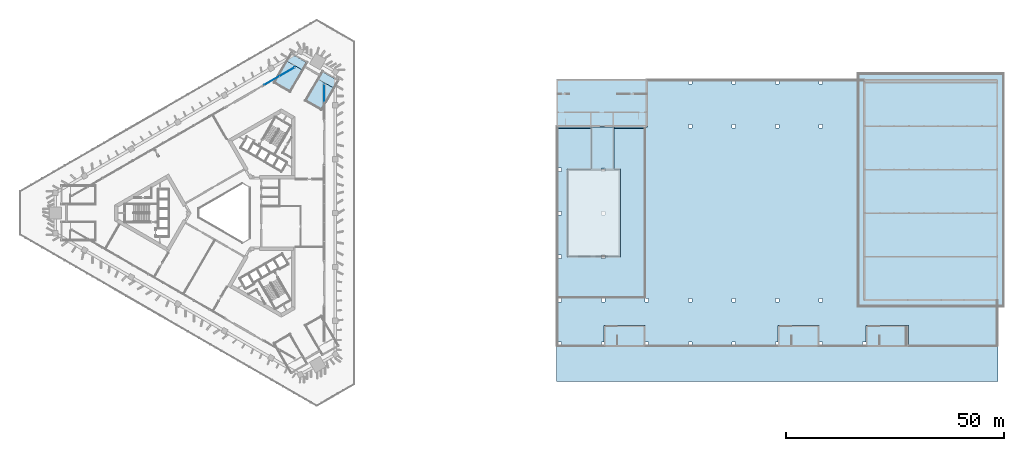
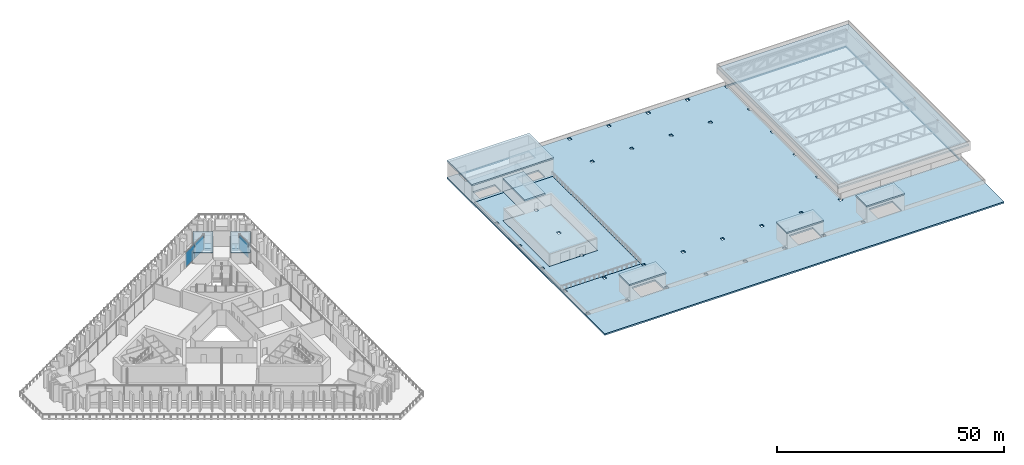
# One storey, part 15 of 31: 13 slabs, 3 plates, 2 elements without a shape of their own.
"""IFC4 building model written with IfcOpenShell, lengths in metres."""

from ifc_helpers import new_model, si_unit, direction, frame, origin, origin_2d, place, context, subcontext, project, spatial, polyline, rectangle, outline, extrude, material, layer, layer_set, type_object, element, aggregate, save


model = new_model("IFC4")

# Units and contexts
model_context = context("Model", 3, precision=1e-05, world=origin(), true_north=direction((0.0, 1.0)))
body_context = subcontext(model_context, "Body", "Model", "MODEL_VIEW")
ifc_project = project(units=[si_unit("LENGTHUNIT", "METRE"), si_unit("AREAUNIT", "SQUARE_METRE"), si_unit("VOLUMEUNIT", "CUBIC_METRE"), si_unit("PLANEANGLEUNIT", "RADIAN"), si_unit("MASSUNIT", "GRAM", prefix="KILO")], contexts=[model_context])

# Site, building, storey
site_placement = place(None, origin())
site = spatial("IfcSite", under=ifc_project, at=site_placement, CompositionType="ELEMENT")
building_placement = place(site_placement, origin())
building = spatial("IfcBuilding", under=site, at=building_placement, Name="Jabali Bay Hotel Tower and Convention Centre", CompositionType="ELEMENT")
storey_placement = place(building_placement, frame((0.0, 0.0, 25.39990234375)))
storey = spatial("IfcBuildingStorey", under=building, at=storey_placement, Name="L04", CompositionType="ELEMENT", Elevation=25.39990234375)

# Slabs
ifc_material_1 = material(Name="Concrete C40", Category="concrete")
ifc_layer_1 = layer(ifc_material_1, 0.409912109375)
ifc_layer_set_1 = layer_set([ifc_layer_1], Name="Concrete C40")
slab_type_1 = type_object("IfcSlabType", Name="CC Floor Slab 410", PredefinedType="FLOOR", material=ifc_layer_set_1)
slab_1_placement = place(storey_placement, frame((0.0, 0.0, -0.409912109375)))
element("IfcSlab", 1, at=slab_1_placement, inside=storey, type_object=slab_type_1, Name="CC roof garden restaurant floor", PredefinedType="FLOOR", context=body_context, shape_type="SweptSolid", body=[
    extrude(outline(polyline([(164.64990234375, 69.85009765625), (164.64990234375, 90.14990234375), (163.14990234375, 90.14990234375), (163.14990234375, 99.800048828125), (157.85009765625, 99.800048828125), (157.85009765625, 90.14990234375), (152.35009765625, 90.14990234375), (152.35009765625, 69.85009765625), (160.300048828125, 69.85009765625), (160.300048828125, 70.39990234375), (161.10009765625, 70.39990234375), (161.10009765625, 69.85009765625), (164.64990234375, 69.85009765625)]), holes=[polyline([(161.10009765625, 79.60009765625), (160.300048828125, 79.60009765625), (160.300048828125, 80.39990234375), (161.10009765625, 80.39990234375), (161.10009765625, 79.60009765625)]), polyline([(160.300048828125, 89.60009765625), (160.300048828125, 90.39990234375), (161.10009765625, 90.39990234375), (161.10009765625, 89.60009765625), (160.300048828125, 89.60009765625)])]), origin(), (0.0, 0.0, 1.0), 0.409912109375),
])
ifc_layer_2 = layer(ifc_material_1, 0.409912109375)
ifc_layer_set_2 = layer_set([ifc_layer_2], Name="Concrete C40")
slab_type_2 = type_object("IfcSlabType", Name="CC Roof Slab 410", PredefinedType="ROOF", material=ifc_layer_set_2)
slab_2_placement = place(storey_placement, frame((0.0, 0.0, 4.090087890625)))
element("IfcSlab", 2, at=slab_2_placement, inside=storey, type_object=slab_type_2, Name="CC plenary hall roof", PredefinedType="ROOF", context=body_context, shape_type="SweptSolid", body=[
    extrude(outline(polyline([(252.60009765625, 58.699951171875), (252.60009765625, 111.89990234375), (219.39990234375, 111.89990234375), (219.39990234375, 58.699951171875), (252.60009765625, 58.699951171875)])), origin(), (0.0, 0.0, 1.0), 0.409912109375),
])
slab_3_placement = place(storey_placement, frame((0.0, 0.0, -0.409912109375)))
element("IfcSlab", 3, at=slab_3_placement, inside=storey, type_object=slab_type_2, Name="CC roof slab", PredefinedType="ROOF", context=body_context, shape_type="SweptSolid", body=[
    extrude(outline(polyline([(150.0, 41.300048828125), (251.39990234375, 41.300048828125), (251.39990234375, 49.300048828125), (251.39990234375, 110.699951171875), (150.0, 110.699951171875), (150.0, 49.300048828125), (150.0, 41.300048828125)]), holes=[polyline([(151.10009765625, 49.60009765625), (150.300048828125, 49.60009765625), (150.300048828125, 50.39990234375), (151.10009765625, 50.39990234375), (151.10009765625, 49.60009765625)]), polyline([(160.300048828125, 49.60009765625), (160.300048828125, 50.39990234375), (161.10009765625, 50.39990234375), (161.10009765625, 49.60009765625), (160.300048828125, 49.60009765625)]), polyline([(150.300048828125, 59.60009765625), (150.300048828125, 60.39990234375), (151.10009765625, 60.39990234375), (151.10009765625, 59.60009765625), (150.300048828125, 59.60009765625)]), polyline([(160.300048828125, 59.60009765625), (160.300048828125, 60.39990234375), (161.10009765625, 60.39990234375), (161.10009765625, 59.60009765625), (160.300048828125, 59.60009765625)]), polyline([(150.300048828125, 70.39990234375), (150.300048828125, 70.39990234375), (150.300048828125, 79.60009765625), (150.300048828125, 79.60009765625), (150.300048828125, 80.39990234375), (150.300048828125, 80.39990234375), (150.300048828125, 89.60009765625), (150.300048828125, 89.60009765625), (150.300048828125, 90.39990234375), (150.300048828125, 90.39990234375), (150.300048828125, 99.39990234375), (157.85009765625, 99.39990234375), (157.85009765625, 99.800048828125), (163.14990234375, 99.800048828125), (163.14990234375, 99.39990234375), (170.300048828125, 99.39990234375), (170.300048828125, 60.60009765625), (150.300048828125, 60.60009765625), (150.300048828125, 69.60009765625), (150.300048828125, 69.60009765625), (150.300048828125, 70.39990234375)]), polyline([(157.699951171875, 100.175048828125), (152.110107421875, 100.175048828125), (152.110107421875, 103.02490234375), (157.699951171875, 103.02490234375), (157.699951171875, 100.175048828125)]), polyline([(163.875, 107.375), (163.875, 107.25), (152.875, 107.25), (152.875, 107.375), (152.75, 107.375), (152.75, 110.39990234375), (152.875, 110.39990234375), (153.0, 110.39990234375), (155.5, 110.39990234375), (155.75, 110.39990234375), (158.25, 110.39990234375), (158.5, 110.39990234375), (161.0, 110.39990234375), (161.25, 110.39990234375), (163.75, 110.39990234375), (163.875, 110.39990234375), (163.949951171875, 110.39990234375), (163.949951171875, 110.47509765625), (170.625, 110.47509765625), (170.625, 107.449951171875), (164.0, 107.449951171875), (164.0, 107.375), (163.875, 107.375)]), polyline([(200.300048828125, 49.60009765625), (200.300048828125, 50.39990234375), (201.10009765625, 50.39990234375), (201.10009765625, 49.60009765625), (200.300048828125, 49.60009765625)]), polyline([(170.300048828125, 49.60009765625), (170.300048828125, 50.39990234375), (171.10009765625, 50.39990234375), (171.10009765625, 49.60009765625), (170.300048828125, 49.60009765625)]), polyline([(190.300048828125, 49.60009765625), (190.300048828125, 50.39990234375), (191.10009765625, 50.39990234375), (191.10009765625, 49.60009765625), (190.300048828125, 49.60009765625)]), polyline([(180.300048828125, 49.60009765625), (180.300048828125, 50.39990234375), (181.10009765625, 50.39990234375), (181.10009765625, 49.60009765625), (180.300048828125, 49.60009765625)]), polyline([(210.0, 49.699951171875), (204.010009765625, 49.699951171875), (204.010009765625, 53.800048828125), (210.0, 53.800048828125), (210.0, 49.699951171875)]), polyline([(170.0, 49.699951171875), (164.010009765625, 49.699951171875), (164.010009765625, 53.800048828125), (170.0, 53.800048828125), (170.0, 49.699951171875)]), polyline([(180.300048828125, 59.60009765625), (180.300048828125, 60.39990234375), (181.10009765625, 60.39990234375), (181.10009765625, 59.60009765625), (180.300048828125, 59.60009765625)]), polyline([(200.300048828125, 59.60009765625), (200.300048828125, 60.39990234375), (201.10009765625, 60.39990234375), (201.10009765625, 59.60009765625), (200.300048828125, 59.60009765625)]), polyline([(190.300048828125, 59.60009765625), (190.300048828125, 60.39990234375), (191.10009765625, 60.39990234375), (191.10009765625, 59.60009765625), (190.300048828125, 59.60009765625)]), polyline([(170.300048828125, 59.60009765625), (170.300048828125, 60.39990234375), (171.10009765625, 60.39990234375), (171.10009765625, 59.60009765625), (170.300048828125, 59.60009765625)]), polyline([(181.10009765625, 99.60009765625), (180.300048828125, 99.60009765625), (180.300048828125, 100.39990234375), (181.10009765625, 100.39990234375), (181.10009765625, 99.60009765625)]), polyline([(190.300048828125, 99.60009765625), (190.300048828125, 100.39990234375), (191.10009765625, 100.39990234375), (191.10009765625, 99.60009765625), (190.300048828125, 99.60009765625)]), polyline([(200.300048828125, 99.60009765625), (200.300048828125, 100.39990234375), (201.10009765625, 100.39990234375), (201.10009765625, 99.60009765625), (200.300048828125, 99.60009765625)]), polyline([(163.125, 103.02490234375), (168.715087890625, 103.02490234375), (168.715087890625, 100.175048828125), (163.125, 100.175048828125), (163.125, 103.02490234375)]), polyline([(180.300048828125, 109.60009765625), (180.300048828125, 110.39990234375), (181.10009765625, 110.39990234375), (181.10009765625, 109.60009765625), (180.300048828125, 109.60009765625)]), polyline([(190.300048828125, 109.60009765625), (190.300048828125, 110.39990234375), (191.10009765625, 110.39990234375), (191.10009765625, 109.60009765625), (190.300048828125, 109.60009765625)]), polyline([(200.300048828125, 109.60009765625), (200.300048828125, 110.39990234375), (201.10009765625, 110.39990234375), (201.10009765625, 109.60009765625), (200.300048828125, 109.60009765625)]), polyline([(210.300048828125, 49.60009765625), (210.300048828125, 50.39990234375), (211.10009765625, 50.39990234375), (211.10009765625, 49.60009765625), (210.300048828125, 49.60009765625)]), polyline([(220.300048828125, 49.60009765625), (220.300048828125, 50.39990234375), (221.10009765625, 50.39990234375), (221.10009765625, 49.60009765625), (220.300048828125, 49.60009765625)]), polyline([(230.25, 49.699951171875), (224.260009765625, 49.699951171875), (224.260009765625, 53.800048828125), (230.25, 53.800048828125), (230.25, 49.699951171875)]), polyline([(220.300048828125, 59.60009765625), (220.300048828125, 60.39990234375), (220.89990234375, 60.39990234375), (220.89990234375, 69.60009765625), (220.300048828125, 69.60009765625), (220.300048828125, 70.39990234375), (220.89990234375, 70.39990234375), (220.89990234375, 79.60009765625), (220.300048828125, 79.60009765625), (220.300048828125, 80.39990234375), (220.89990234375, 80.39990234375), (220.89990234375, 89.60009765625), (220.300048828125, 89.60009765625), (220.300048828125, 90.39990234375), (220.89990234375, 90.39990234375), (220.89990234375, 99.60009765625), (220.300048828125, 99.60009765625), (220.300048828125, 100.39990234375), (220.89990234375, 100.39990234375), (220.89990234375, 109.60009765625), (220.300048828125, 109.60009765625), (220.300048828125, 110.39990234375), (221.10009765625, 110.39990234375), (221.10009765625, 110.39990234375), (230.300048828125, 110.39990234375), (230.300048828125, 110.39990234375), (231.10009765625, 110.39990234375), (231.10009765625, 110.39990234375), (240.300048828125, 110.39990234375), (240.300048828125, 110.39990234375), (241.10009765625, 110.39990234375), (241.10009765625, 110.39990234375), (250.300048828125, 110.39990234375), (250.300048828125, 110.39990234375), (251.10009765625, 110.39990234375), (251.10009765625, 110.39990234375), (251.10009765625, 109.60009765625), (251.10009765625, 100.39990234375), (251.10009765625, 99.60009765625), (251.10009765625, 90.39990234375), (251.10009765625, 89.60009765625), (251.10009765625, 80.39990234375), (251.10009765625, 79.60009765625), (251.10009765625, 70.39990234375), (251.10009765625, 69.60009765625), (251.10009765625, 60.199951171875), (221.10009765625, 60.199951171875), (221.10009765625, 59.60009765625), (220.300048828125, 59.60009765625)]), polyline([(210.300048828125, 59.60009765625), (210.300048828125, 60.39990234375), (211.10009765625, 60.39990234375), (211.10009765625, 59.60009765625), (210.300048828125, 59.60009765625)]), polyline([(210.300048828125, 99.60009765625), (210.300048828125, 100.39990234375), (211.10009765625, 100.39990234375), (211.10009765625, 99.60009765625), (210.300048828125, 99.60009765625)]), polyline([(210.300048828125, 109.60009765625), (210.300048828125, 110.39990234375), (211.10009765625, 110.39990234375), (211.10009765625, 109.60009765625), (210.300048828125, 109.60009765625)])]), origin(), (0.0, 0.0, 1.0), 0.409912109375),
])
slab_4_placement = place(storey_placement, frame((0.0, 0.0, 3.190185546875)))
element("IfcSlab", 4, at=slab_4_placement, inside=storey, type_object=slab_type_2, Name="CC roof garden passage roof", PredefinedType="ROOF", context=body_context, shape_type="SweptSolid", body=[
    extrude(outline(polyline([(163.14990234375, 90.14990234375), (163.14990234375, 99.800048828125), (157.85009765625, 99.800048828125), (157.85009765625, 90.14990234375), (163.14990234375, 90.14990234375)])), origin(), (0.0, 0.0, 1.0), 0.409912109375),
])
slab_5_placement = place(storey_placement, frame((0.0, 0.0, 4.190185546875)))
element("IfcSlab", 5, at=slab_5_placement, inside=storey, type_object=slab_type_2, Name="CC west core head-house roof", PredefinedType="ROOF", context=body_context, shape_type="SweptSolid", body=[
    extrude(outline(polyline([(170.875, 99.824951171875), (170.875, 110.699951171875), (150.0, 110.699951171875), (150.0, 99.824951171875), (170.875, 99.824951171875)])), origin(), (0.0, 0.0, 1.0), 0.409912109375),
])
slab_6_placement = place(storey_placement, frame((0.0, 0.0, 4.190185546875)))
element("IfcSlab", 6, at=slab_6_placement, inside=storey, type_object=slab_type_2, Name="CC S1 stair head-house roof", PredefinedType="ROOF", context=body_context, shape_type="SweptSolid", body=[
    extrude(outline(polyline([(170.324951171875, 49.300048828125), (170.324951171875, 54.125), (160.875, 54.125), (160.875, 49.300048828125), (170.324951171875, 49.300048828125)])), origin(), (0.0, 0.0, 1.0), 0.409912109375),
])
slab_7_placement = place(storey_placement, frame((0.0, 0.0, 4.190185546875)))
element("IfcSlab", 7, at=slab_7_placement, inside=storey, type_object=slab_type_2, Name="CC S2 stair head-house roof", PredefinedType="ROOF", context=body_context, shape_type="SweptSolid", body=[
    extrude(outline(polyline([(210.324951171875, 49.300048828125), (210.324951171875, 54.125), (200.875, 54.125), (200.875, 49.300048828125), (210.324951171875, 49.300048828125)])), origin(), (0.0, 0.0, 1.0), 0.409912109375),
])
slab_8_placement = place(storey_placement, frame((0.0, 0.0, 4.190185546875)))
element("IfcSlab", 8, at=slab_8_placement, inside=storey, type_object=slab_type_2, Name="CC S3 stair head-house roof", PredefinedType="ROOF", context=body_context, shape_type="SweptSolid", body=[
    extrude(outline(polyline([(230.85009765625, 49.300048828125), (230.85009765625, 54.125), (221.125, 54.125), (221.125, 49.300048828125), (230.85009765625, 49.300048828125)])), origin(), (0.0, 0.0, 1.0), 0.409912109375),
])
ifc_layer_3 = layer(ifc_material_1, 0.409912109375)
ifc_layer_set_3 = layer_set([ifc_layer_3], Name="Concrete C40")
slab_type_3 = type_object("IfcSlabType", Name="CC Terrace Slab 410", PredefinedType="FLOOR", material=ifc_layer_set_3)
slab_9_placement = place(storey_placement, frame((0.0, 0.0, -0.409912109375)))
element("IfcSlab", 9, at=slab_9_placement, inside=storey, type_object=slab_type_3, Name="CC roof garden terrace", PredefinedType="FLOOR", context=body_context, shape_type="SweptSolid", body=[
    extrude(outline(polyline([(157.85009765625, 99.39990234375), (150.300048828125, 99.39990234375), (150.300048828125, 90.39990234375), (151.10009765625, 90.39990234375), (151.10009765625, 89.60009765625), (150.300048828125, 89.60009765625), (150.300048828125, 80.39990234375), (151.10009765625, 80.39990234375), (151.10009765625, 79.60009765625), (150.300048828125, 79.60009765625), (150.300048828125, 70.39990234375), (151.10009765625, 70.39990234375), (151.10009765625, 69.60009765625), (150.300048828125, 69.60009765625), (150.300048828125, 60.60009765625), (170.300048828125, 60.60009765625), (170.300048828125, 99.39990234375), (163.14990234375, 99.39990234375), (163.14990234375, 90.14990234375), (164.64990234375, 90.14990234375), (164.64990234375, 69.85009765625), (161.10009765625, 69.85009765625), (161.10009765625, 69.60009765625), (160.300048828125, 69.60009765625), (160.300048828125, 69.85009765625), (152.35009765625, 69.85009765625), (152.35009765625, 90.14990234375), (157.85009765625, 90.14990234375), (157.85009765625, 99.39990234375)])), origin(), (0.0, 0.0, 1.0), 0.409912109375),
])

# Curtain wall, plate
ifc_material_2 = material(Name="Aluminium and glass", Category="aluminium")
ifc_layer_4 = layer(ifc_material_2, 0.199951171875)
ifc_layer_set_4 = layer_set([ifc_layer_4], Name="Aluminium and glass")
curtain_wall_type = type_object("IfcCurtainWallType", Name="CW6 curtain wall", PredefinedType="NOTDEFINED", material=ifc_layer_set_4)
curtain_wall_1_placement = place(storey_placement, origin())
curtain_wall_1 = element("IfcCurtainWall", 10, at=curtain_wall_1_placement, inside=storey, type_object=curtain_wall_type, Name="CW6 curtain wall east face L04", PredefinedType="NOTDEFINED")
ifc_material_3 = material(Name="Glass", Category="glass")
ifc_layer_5 = layer(ifc_material_3, 0.031982421875)
ifc_layer_set_5 = layer_set([ifc_layer_5], Name="Glass")
plate_type = type_object("IfcPlateType", Name="CW6 glass panel 32", PredefinedType="CURTAIN_PANEL", material=ifc_layer_set_5)
plate_1_placement = place(storey_placement, frame((96.5927734375, 107.50341796875, 0.06005859375), z_axis=(0.0, 0.0, 1.0), x_axis=(0.0, -1.0, 0.0)))
plate_1 = element("IfcPlate", 11, at=plate_1_placement, type_object=plate_type, Name="CW6 panel 1.1", PredefinedType="CURTAIN_PANEL", context=body_context, shape_type="SweptSolid", body=[
    extrude(rectangle(XDim=3.964599609375, YDim=0.031982421875, at=origin_2d()), origin(), (0.0, 0.0, 1.0), 3.97998046875),
])
aggregate(curtain_wall_1, [plate_1])

# Curtain wall, plates
curtain_wall_2_placement = place(storey_placement, origin())
curtain_wall_2 = element("IfcCurtainWall", 12, at=curtain_wall_2_placement, inside=storey, type_object=curtain_wall_type, Name="CW6 curtain wall north-west face L04", PredefinedType="NOTDEFINED")
plate_2_placement = place(storey_placement, frame((84.537109375, 110.439453125, 0.06005859375), z_axis=(0.0, 0.0, 1.0), x_axis=(0.866025404971, 0.499999997944, 0.0)))
plate_2 = element("IfcPlate", 13, at=plate_2_placement, type_object=plate_type, Name="CW6 panel 1.1", PredefinedType="CURTAIN_PANEL", context=body_context, shape_type="SweptSolid", body=[
    extrude(rectangle(XDim=3.964599609375, YDim=0.031982421875, at=origin_2d()), origin(), (0.0, 0.0, 1.0), 3.97998046875),
])
plate_3_placement = place(storey_placement, frame((88.022216796875, 112.45166015625, 0.06005859375), z_axis=(0.0, 0.0, 1.0), x_axis=(0.866025404971, 0.499999997944, 0.0)))
plate_3 = element("IfcPlate", 14, at=plate_3_placement, type_object=plate_type, Name="CW6 panel 2.1", PredefinedType="CURTAIN_PANEL", context=body_context, shape_type="SweptSolid", body=[
    extrude(rectangle(XDim=3.964599609375, YDim=0.031982421875, at=origin_2d()), origin(), (0.0, 0.0, 1.0), 3.97998046875),
])
aggregate(curtain_wall_2, [plate_2, plate_3])

# Slabs
ifc_layer_6 = layer(ifc_material_1, 0.5)
ifc_layer_set_6 = layer_set([ifc_layer_6], Name="Concrete C40")
slab_type_4 = type_object("IfcSlabType", Name="Core floor slab 500", PredefinedType="FLOOR", material=ifc_layer_set_6)
slab_10_placement = place(storey_placement, frame((0.0, 0.0, -0.5)))
element("IfcSlab", 15, at=slab_10_placement, inside=storey, type_object=slab_type_4, Name="Podium stair landing slab 3 L04", PredefinedType="FLOOR", context=body_context, shape_type="SweptSolid", body=[
    extrude(outline(polyline([(89.02392578125, 116.590087890625), (88.04736328125, 114.89892578125), (91.511474609375, 112.89892578125), (92.488037109375, 114.590087890625), (89.02392578125, 116.590087890625)])), origin(), (0.0, 0.0, 1.0), 0.5),
])
slab_11_placement = place(storey_placement, frame((0.0, 0.0, -0.5)))
element("IfcSlab", 16, at=slab_11_placement, inside=storey, type_object=slab_type_4, Name="Podium stair landing slab 4 L04", PredefinedType="FLOOR", context=body_context, shape_type="SweptSolid", body=[
    extrude(outline(polyline([(96.2119140625, 112.440185546875), (95.2353515625, 110.748779296875), (98.699462890625, 108.748779296875), (99.676025390625, 110.440185546875), (96.2119140625, 112.440185546875)])), origin(), (0.0, 0.0, 1.0), 0.5),
])
ifc_layer_7 = layer(ifc_material_1, 0.199951171875)
ifc_layer_set_7 = layer_set([ifc_layer_7], Name="Concrete C40")
slab_type_5 = type_object("IfcSlabType", Name="Stair head-house roof 200", PredefinedType="ROOF", material=ifc_layer_set_7)
slab_12_placement = place(storey_placement, frame((0.0, 0.0, 2.900146484375)))
element("IfcSlab", 17, at=slab_12_placement, inside=storey, type_object=slab_type_5, Name="Podium stair head-house roof 3", PredefinedType="ROOF", context=body_context, shape_type="SweptSolid", body=[
    extrude(outline(polyline([(92.76123046875, 114.663330078125), (88.95068359375, 116.86328125), (84.95068359375, 109.935302734375), (88.76123046875, 107.735107421875), (92.76123046875, 114.663330078125)])), origin(), (0.0, 0.0, 1.0), 0.199951171875),
])
slab_13_placement = place(storey_placement, frame((0.0, 0.0, 2.900146484375)))
element("IfcSlab", 18, at=slab_13_placement, inside=storey, type_object=slab_type_5, Name="Podium stair head-house roof 4", PredefinedType="ROOF", context=body_context, shape_type="SweptSolid", body=[
    extrude(outline(polyline([(99.94921875, 110.513427734375), (96.138671875, 112.71337890625), (92.138671875, 105.78515625), (95.94921875, 103.585205078125), (99.94921875, 110.513427734375)])), origin(), (0.0, 0.0, 1.0), 0.199951171875),
])

save(model, "model.ifc")
